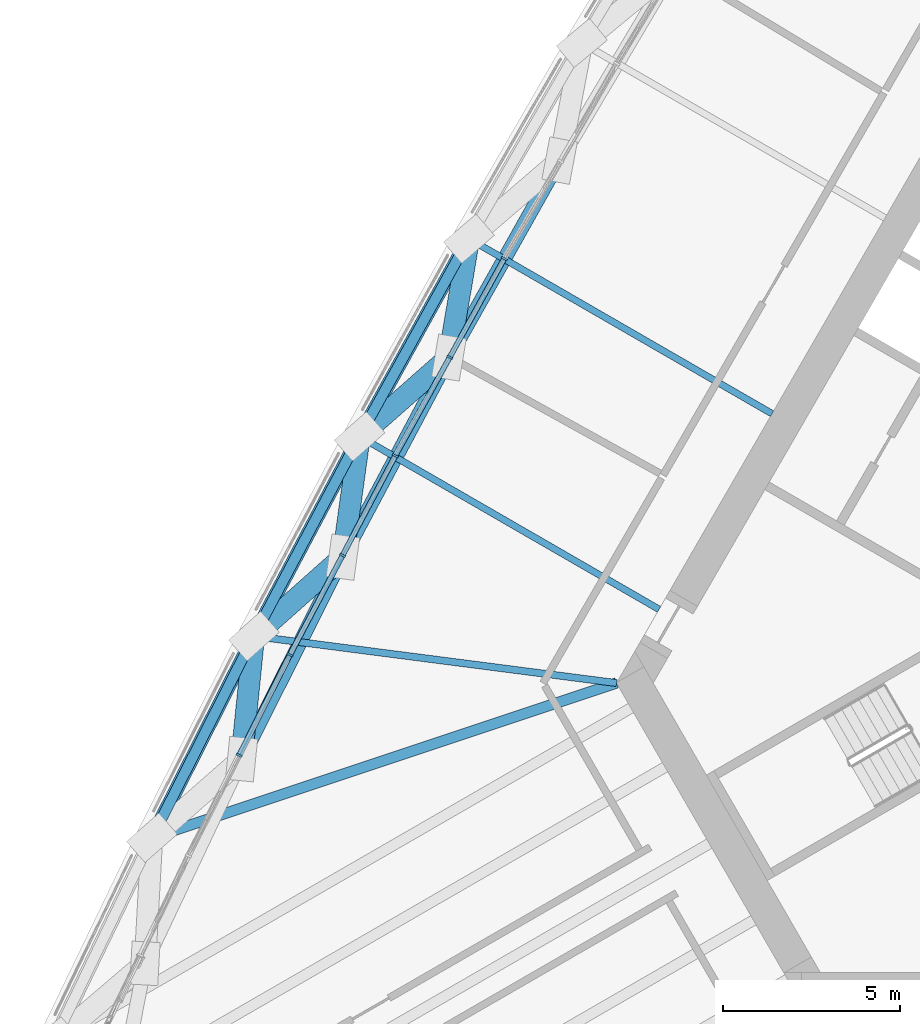
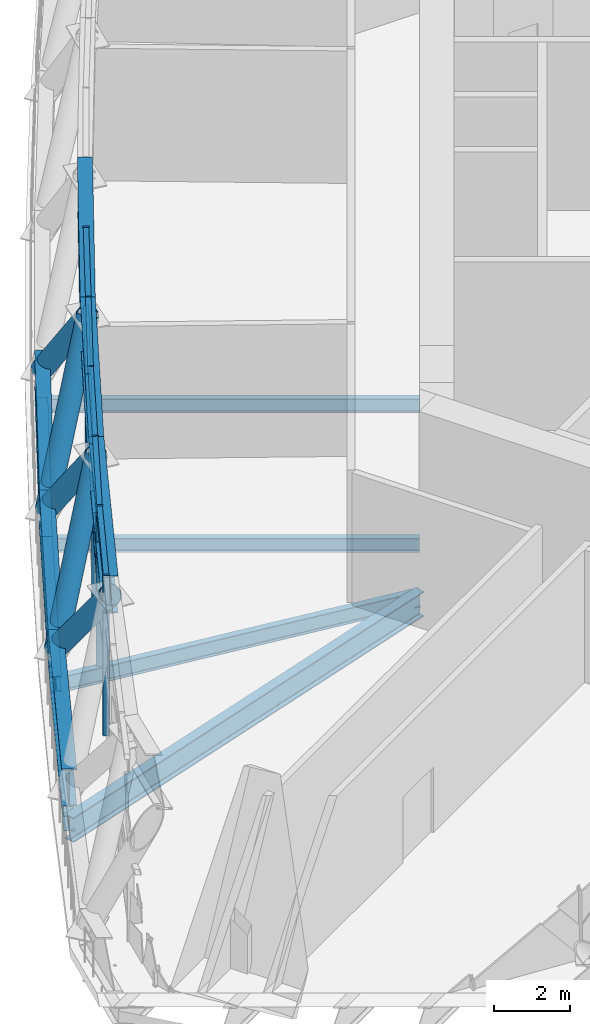
# One storey, part 4 of 43: 27 members, 7 beams, 1 element without a shape of its own.
"""IFC4 building model written with IfcOpenShell, lengths in metres."""

from ifc_helpers import new_model, si_unit, direction, frame, origin, origin_2d, place, context, subcontext, project, spatial, rectangle, hollow_circle, i_section, extrude, material, material_profile, profile_set, type_object, element, aggregate, save


model = new_model("IFC4")

# Units and contexts
model_context = context("Model", 3, precision=1e-05, world=origin(), true_north=direction((0.0, 1.0)))
body_context = subcontext(model_context, "Body", "Model", "MODEL_VIEW")
ifc_project = project(units=[si_unit("LENGTHUNIT", "METRE"), si_unit("AREAUNIT", "SQUARE_METRE"), si_unit("VOLUMEUNIT", "CUBIC_METRE"), si_unit("PLANEANGLEUNIT", "RADIAN"), si_unit("MASSUNIT", "GRAM", prefix="KILO")], contexts=[model_context])

# Site, building, storey
site_placement = place(None, origin())
site = spatial("IfcSite", under=ifc_project, at=site_placement, CompositionType="ELEMENT")
building_placement = place(site_placement, origin())
building = spatial("IfcBuilding", under=site, at=building_placement, Name="Mestral Congress Tower", CompositionType="ELEMENT")
storey_placement = place(building_placement, frame((0.0, 0.0, 78.300048828125)))
storey = spatial("IfcBuildingStorey", under=building, at=storey_placement, Name="L18", CompositionType="ELEMENT", Elevation=78.300048828125)

# Members
ifc_material_1 = material(Name="Steel S355", Category="steel")
ifc_material_profile_1 = material_profile(ifc_material_1, i_section(OverallWidth=0.39990234375, OverallDepth=1.199951171875, WebThickness=0.02001953125, FlangeThickness=0.0400390625, FilletRadius=0.010009765625, at=origin_2d()), Name="WPG 1200")
ifc_profile_set_1 = profile_set([ifc_material_profile_1], Name="Steel S355")
member_type_1 = type_object("IfcMemberType", Name="Belt chord WPG 1200 S355", PredefinedType="CHORD", material=ifc_profile_set_1)
for number, where, z_axis, x_axis, name in (
    (1, (-21.443359375, 8.685302734375, 0.599853515625), (-0.483909115865, -0.875118259199, 0.0), (0.875118259199, -0.483909115865, 0.0), "MB-L18-BC1-W05"),
    (2, (-24.540283203125, 3.084716796875, 0.599853515625), (-0.467649333519, -0.883914080021, 0.0), (0.883914080021, -0.467649333519, 0.0), "MB-L18-BC1-W06"),
):
    element("IfcMember", number, at=place(storey_placement, frame(where, z_axis=z_axis, x_axis=x_axis)), inside=storey, type_object=member_type_1, Name=name, PredefinedType="CHORD", context=body_context, shape_type="SweptSolid", body=[
        extrude(i_section(OverallWidth=0.39990234375, OverallDepth=1.199951171875, WebThickness=0.02001953125, FlangeThickness=0.0400390625, FilletRadius=0.010009765625, at=origin_2d()), origin(), (0.0, 0.0, 1.0), 6.39990234375),
    ])
member_1_placement = place(storey_placement, frame((-27.533203125, -2.572265625, 0.599853515625), z_axis=(-0.451237351709, -0.892403973783, 0.0), x_axis=(0.892403973783, -0.451237351709, 0.0)))
element("IfcMember", 3, at=member_1_placement, inside=storey, type_object=member_type_1, Name="MB-L18-BC1-W07", PredefinedType="CHORD", context=body_context, shape_type="SweptSolid", body=[
    extrude(i_section(OverallWidth=0.39990234375, OverallDepth=1.199951171875, WebThickness=0.02001953125, FlangeThickness=0.0400390625, FilletRadius=0.010009765625, at=origin_2d()), origin(), (0.0, 0.0, 1.0), 6.400146484375),
])
for number, where, z_axis, x_axis, name in (
    (4, (-18.873779296875, 10.896728515625, 4.550048828125), (-0.489860914929, -0.871800598775, 0.0), (0.871800598775, -0.489860914929, 0.0), "MB-L18-TC1-W04"),
    (5, (-22.0087890625, 5.3173828125, 4.550048828125), (-0.469292819228, -0.88304260929, 0.0), (0.88304260929, -0.469292819228, 0.0), "MB-L18-TC1-W05"),
):
    element("IfcMember", number, at=place(storey_placement, frame(where, z_axis=z_axis, x_axis=x_axis)), inside=storey, type_object=member_type_1, Name=name, PredefinedType="CHORD", context=body_context, shape_type="SweptSolid", body=[
        extrude(i_section(OverallWidth=0.39990234375, OverallDepth=1.199951171875, WebThickness=0.02001953125, FlangeThickness=0.0400390625, FilletRadius=0.010009765625, at=origin_2d()), origin(), (0.0, 0.0, 1.0), 6.39990234375),
    ])
member_2_placement = place(storey_placement, frame((-25.01220703125, -0.333984375, 4.550048828125), z_axis=(-0.448555936264, -0.893754760571, 0.0), x_axis=(0.893754760571, -0.448555936264, 0.0)))
element("IfcMember", 6, at=member_2_placement, inside=storey, type_object=member_type_1, Name="MB-L18-TC1-W06", PredefinedType="CHORD", context=body_context, shape_type="SweptSolid", body=[
    extrude(i_section(OverallWidth=0.39990234375, OverallDepth=1.199951171875, WebThickness=0.02001953125, FlangeThickness=0.0400390625, FilletRadius=0.010009765625, at=origin_2d()), origin(), (0.0, 0.0, 1.0), 6.399658203125),
])
ifc_material_profile_2 = material_profile(ifc_material_1, hollow_circle(Radius=0.304931640625, WallThickness=0.02490234375, at=origin_2d()), Name="CHS 610x25")
ifc_profile_set_2 = profile_set([ifc_material_profile_2], Name="Steel S355")
member_type_2 = type_object("IfcMemberType", Name="Belt diagonal CHS 610x25 S355", PredefinedType="BRACE", material=ifc_profile_set_2)
member_3_placement = place(storey_placement, frame((-21.443359375, 8.685302734375, 0.599853515625), z_axis=(-0.108283630495, -0.644979569376, 0.756489266582), x_axis=(0.986198081795, -0.165569754073, 0.0)))
element("IfcMember", 7, at=member_3_placement, inside=storey, type_object=member_type_2, Name="MD-L18-BD1-W05.W05", PredefinedType="BRACE", context=body_context, shape_type="SweptSolid", body=[
    extrude(hollow_circle(Radius=0.304931640625, WallThickness=0.02490234375, at=origin_2d()), origin(), (0.0, 0.0, 1.0), 5.2216796875),
])
member_4_placement = place(storey_placement, frame((-24.540283203125, 3.084716796875, 0.599853515625), z_axis=(0.487210607428, 0.429698235599, 0.760253411918), x_axis=(-0.661454164906, 0.74998559168, 0.0)))
element("IfcMember", 8, at=member_4_placement, inside=storey, type_object=member_type_2, Name="MD-L18-BD1-W06.W05", PredefinedType="BRACE", context=body_context, shape_type="SweptSolid", body=[
    extrude(hollow_circle(Radius=0.304931640625, WallThickness=0.02490234375, at=origin_2d()), origin(), (0.0, 0.0, 1.0), 5.19580078125),
])
member_5_placement = place(storey_placement, frame((-24.540283203125, 3.084716796875, 0.599853515625), z_axis=(-0.089968998586, -0.65175162297, 0.7530772877), x_axis=(0.990606264999, -0.136745119635, 0.0)))
element("IfcMember", 9, at=member_5_placement, inside=storey, type_object=member_type_2, Name="MD-L18-BD1-W06.W06", PredefinedType="BRACE", context=body_context, shape_type="SweptSolid", body=[
    extrude(hollow_circle(Radius=0.304931640625, WallThickness=0.02490234375, at=origin_2d()), origin(), (0.0, 0.0, 1.0), 5.245361328125),
])
member_6_placement = place(storey_placement, frame((-27.533203125, -2.572265625, 0.599853515625), z_axis=(0.485441380321, 0.431001992522, 0.760647059229), x_axis=(-0.663932214118, 0.747792762105, 0.0)))
element("IfcMember", 10, at=member_6_placement, inside=storey, type_object=member_type_2, Name="MD-L18-BD1-W07.W06", PredefinedType="BRACE", context=body_context, shape_type="SweptSolid", body=[
    extrude(hollow_circle(Radius=0.304931640625, WallThickness=0.02490234375, at=origin_2d()), origin(), (0.0, 0.0, 1.0), 5.193115234375),
])
member_7_placement = place(storey_placement, frame((-27.533203125, -2.572265625, 0.599853515625), z_axis=(-0.0662515371, -0.65973946861, 0.748568345169), x_axis=(0.994995653206, -0.099918217068, 0.0)))
element("IfcMember", 11, at=member_7_placement, inside=storey, type_object=member_type_2, Name="MD-L18-BD1-W07.W07", PredefinedType="BRACE", context=body_context, shape_type="SweptSolid", body=[
    extrude(hollow_circle(Radius=0.304931640625, WallThickness=0.02490234375, at=origin_2d()), origin(), (0.0, 0.0, 1.0), 5.277099609375),
])

# Curtain wall, members
ifc_material_2 = material(Name="Clear low-emissivity double glazing", Category="glass")
curtain_wall_type = type_object("IfcCurtainWallType", Name="Facade refuge band screen", PredefinedType="USERDEFINED", material=ifc_material_2)
curtain_wall_placement = place(storey_placement, origin())
curtain_wall = element("IfcCurtainWall", 12, at=curtain_wall_placement, inside=storey, type_object=curtain_wall_type, Name="Facade refuge band screen face 3", ObjectType="CURTAIN WALL", PredefinedType="USERDEFINED")
ifc_material_3 = material(Name="Anodised aluminium", Category="aluminium")
ifc_material_profile_3 = material_profile(ifc_material_3, rectangle(XDim=0.179931640625, YDim=0.06005859375, at=origin_2d()), Name="CW3 mullion 180 x 60")
ifc_profile_set_3 = profile_set([ifc_material_profile_3], Name="Anodised aluminium")
member_type_3 = type_object("IfcMemberType", Name="Facade refuge band screen mullion", PredefinedType="MULLION", material=ifc_profile_set_3)
member_8_placement = place(storey_placement, frame((-20.442138671875, 8.11962890625, 0.0), z_axis=(0.0, 0.0, 1.0), x_axis=(-0.870609974391, 0.491973853463, 0.0)))
member_8 = element("IfcMember", 13, at=member_8_placement, type_object=member_type_3, Name="Facade refuge band screen mullion", PredefinedType="MULLION", context=body_context, shape_type="SweptSolid", body=[
    extrude(rectangle(XDim=0.179931640625, YDim=0.06005859375, at=origin_2d()), origin(), (0.0, 0.0, 1.0), 5.14990234375),
])
member_9_placement = place(storey_placement, frame((-21.985595703125, 5.32861328125, 0.0), z_axis=(0.0, 0.0, 1.0), x_axis=(-0.875120162417, 0.483905674001, 0.0)))
member_9 = element("IfcMember", 14, at=member_9_placement, type_object=member_type_3, Name="Facade refuge band screen mullion", PredefinedType="MULLION", context=body_context, shape_type="SweptSolid", body=[
    extrude(rectangle(XDim=0.179931640625, YDim=0.06005859375, at=origin_2d()), origin(), (0.0, 0.0, 1.0), 5.14990234375),
])
member_10_placement = place(storey_placement, frame((-23.52880859375, 2.53759765625, 0.0), z_axis=(0.0, 0.0, 1.0), x_axis=(-0.879555582526, 0.475796150937, 0.0)))
member_10 = element("IfcMember", 15, at=member_10_placement, type_object=member_type_3, Name="Facade refuge band screen mullion", PredefinedType="MULLION", context=body_context, shape_type="SweptSolid", body=[
    extrude(rectangle(XDim=0.179931640625, YDim=0.06005859375, at=origin_2d()), origin(), (0.0, 0.0, 1.0), 5.14990234375),
])
member_11_placement = place(storey_placement, frame((-25.020263671875, -0.281494140625, 0.0), z_axis=(0.0, 0.0, 1.0), x_axis=(-0.883915855767, 0.467645977127, 0.0)))
member_11 = element("IfcMember", 16, at=member_11_placement, type_object=member_type_3, Name="Facade refuge band screen mullion", PredefinedType="MULLION", context=body_context, shape_type="SweptSolid", body=[
    extrude(rectangle(XDim=0.179931640625, YDim=0.06005859375, at=origin_2d()), origin(), (0.0, 0.0, 1.0), 5.14990234375),
])
member_12_placement = place(storey_placement, frame((-26.51171875, -3.1005859375, 0.0), z_axis=(0.0, 0.0, 1.0), x_axis=(-0.88820060961, 0.4594558489, 0.0)))
member_12 = element("IfcMember", 17, at=member_12_placement, type_object=member_type_3, Name="Facade refuge band screen mullion", PredefinedType="MULLION", context=body_context, shape_type="SweptSolid", body=[
    extrude(rectangle(XDim=0.179931640625, YDim=0.06005859375, at=origin_2d()), origin(), (0.0, 0.0, 1.0), 5.14990234375),
])
member_13_placement = place(storey_placement, frame((-27.950927734375, -5.947021484375, 0.0), z_axis=(0.0, 0.0, 1.0), x_axis=(-0.892409477977, 0.451226465998, 0.0)))
member_13 = element("IfcMember", 18, at=member_13_placement, type_object=member_type_3, Name="Facade refuge band screen mullion", PredefinedType="MULLION", context=body_context, shape_type="SweptSolid", body=[
    extrude(rectangle(XDim=0.179931640625, YDim=0.06005859375, at=origin_2d()), origin(), (0.0, 0.0, 1.0), 5.14990234375),
])
ifc_material_profile_4 = material_profile(ifc_material_3, rectangle(XDim=0.14990234375, YDim=0.1201171875, at=origin_2d()), Name="CW3 transom 150 x 120")
ifc_profile_set_4 = profile_set([ifc_material_profile_4], Name="Anodised aluminium")
member_type_4 = type_object("IfcMemberType", Name="Facade refuge band screen transom", PredefinedType="USERDEFINED", material=ifc_profile_set_4)
member_14_placement = place(storey_placement, frame((-20.456787109375, 8.09326171875, 2.599853515625), z_axis=(-0.48387326323, -0.875138083465, 0.0), x_axis=(0.875138083465, -0.48387326323, 0.0)))
member_14 = element("IfcMember", 19, at=member_14_placement, type_object=member_type_4, Name="Facade refuge band screen transom", ObjectType="TRANSOM", PredefinedType="USERDEFINED", context=body_context, shape_type="SweptSolid", body=[
    extrude(rectangle(XDim=0.14990234375, YDim=0.1201171875, at=origin_2d()), origin(), (0.0, 0.0, 1.0), 3.129150390625),
])
member_15_placement = place(storey_placement, frame((-20.456787109375, 8.09326171875, 5.08984375), z_axis=(-0.48387326323, -0.875138083465, 0.0), x_axis=(0.875138083465, -0.48387326323, 0.0)))
member_15 = element("IfcMember", 20, at=member_15_placement, type_object=member_type_4, Name="Facade refuge band screen transom", ObjectType="TRANSOM", PredefinedType="USERDEFINED", context=body_context, shape_type="SweptSolid", body=[
    extrude(rectangle(XDim=0.14990234375, YDim=0.1201171875, at=origin_2d()), origin(), (0.0, 0.0, 1.0), 3.129150390625),
])
member_16_placement = place(storey_placement, frame((-22.0, 5.30224609375, 2.599853515625), z_axis=(-0.483933011927, -0.875105045105, 0.0), x_axis=(0.875105045105, -0.483933011927, 0.0)))
member_16 = element("IfcMember", 21, at=member_16_placement, type_object=member_type_4, Name="Facade refuge band screen transom", ObjectType="TRANSOM", PredefinedType="USERDEFINED", context=body_context, shape_type="SweptSolid", body=[
    extrude(rectangle(XDim=0.14990234375, YDim=0.1201171875, at=origin_2d()), origin(), (0.0, 0.0, 1.0), 3.12939453125),
])
member_17_placement = place(storey_placement, frame((-22.0, 5.30224609375, 5.08984375), z_axis=(-0.483933011927, -0.875105045105, 0.0), x_axis=(0.875105045105, -0.483933011927, 0.0)))
member_17 = element("IfcMember", 22, at=member_17_placement, type_object=member_type_4, Name="Facade refuge band screen transom", ObjectType="TRANSOM", PredefinedType="USERDEFINED", context=body_context, shape_type="SweptSolid", body=[
    extrude(rectangle(XDim=0.14990234375, YDim=0.1201171875, at=origin_2d()), origin(), (0.0, 0.0, 1.0), 3.12939453125),
])
member_18_placement = place(storey_placement, frame((-23.54296875, 2.510986328125, 2.599853515625), z_axis=(-0.467629614163, -0.88392451259, 0.0), x_axis=(0.88392451259, -0.467629614163, 0.0)))
member_18 = element("IfcMember", 23, at=member_18_placement, type_object=member_type_4, Name="Facade refuge band screen transom", ObjectType="TRANSOM", PredefinedType="USERDEFINED", context=body_context, shape_type="SweptSolid", body=[
    extrude(rectangle(XDim=0.14990234375, YDim=0.1201171875, at=origin_2d()), origin(), (0.0, 0.0, 1.0), 3.12939453125),
])
member_19_placement = place(storey_placement, frame((-23.54296875, 2.510986328125, 5.08984375), z_axis=(-0.467629614163, -0.88392451259, 0.0), x_axis=(0.88392451259, -0.467629614163, 0.0)))
member_19 = element("IfcMember", 24, at=member_19_placement, type_object=member_type_4, Name="Facade refuge band screen transom", ObjectType="TRANSOM", PredefinedType="USERDEFINED", context=body_context, shape_type="SweptSolid", body=[
    extrude(rectangle(XDim=0.14990234375, YDim=0.1201171875, at=origin_2d()), origin(), (0.0, 0.0, 1.0), 3.12939453125),
])
member_20_placement = place(storey_placement, frame((-25.0341796875, -0.30810546875, 2.599853515625), z_axis=(-0.46769056671, -0.88389226369, 0.0), x_axis=(0.88389226369, -0.46769056671, 0.0)))
member_20 = element("IfcMember", 25, at=member_20_placement, type_object=member_type_4, Name="Facade refuge band screen transom", ObjectType="TRANSOM", PredefinedType="USERDEFINED", context=body_context, shape_type="SweptSolid", body=[
    extrude(rectangle(XDim=0.14990234375, YDim=0.1201171875, at=origin_2d()), origin(), (0.0, 0.0, 1.0), 3.12939453125),
])
member_21_placement = place(storey_placement, frame((-25.0341796875, -0.30810546875, 5.08984375), z_axis=(-0.46769056671, -0.88389226369, 0.0), x_axis=(0.88389226369, -0.46769056671, 0.0)))
member_21 = element("IfcMember", 26, at=member_21_placement, type_object=member_type_4, Name="Facade refuge band screen transom", ObjectType="TRANSOM", PredefinedType="USERDEFINED", context=body_context, shape_type="SweptSolid", body=[
    extrude(rectangle(XDim=0.14990234375, YDim=0.1201171875, at=origin_2d()), origin(), (0.0, 0.0, 1.0), 3.12939453125),
])
member_22_placement = place(storey_placement, frame((-26.525390625, -3.12744140625, 2.599853515625), z_axis=(-0.451234602971, -0.892405363656, 0.0), x_axis=(0.892405363656, -0.451234602971, 0.0)))
member_22 = element("IfcMember", 27, at=member_22_placement, type_object=member_type_4, Name="Facade refuge band screen transom", ObjectType="TRANSOM", PredefinedType="USERDEFINED", context=body_context, shape_type="SweptSolid", body=[
    extrude(rectangle(XDim=0.14990234375, YDim=0.1201171875, at=origin_2d()), origin(), (0.0, 0.0, 1.0), 3.12939453125),
])
member_23_placement = place(storey_placement, frame((-26.525390625, -3.12744140625, 5.08984375), z_axis=(-0.451234602971, -0.892405363656, 0.0), x_axis=(0.892405363656, -0.451234602971, 0.0)))
member_23 = element("IfcMember", 28, at=member_23_placement, type_object=member_type_4, Name="Facade refuge band screen transom", ObjectType="TRANSOM", PredefinedType="USERDEFINED", context=body_context, shape_type="SweptSolid", body=[
    extrude(rectangle(XDim=0.14990234375, YDim=0.1201171875, at=origin_2d()), origin(), (0.0, 0.0, 1.0), 3.12939453125),
])
aggregate(curtain_wall, [member_8, member_9, member_10, member_11, member_12, member_13, member_14, member_15, member_16, member_17, member_18, member_19, member_20, member_21, member_22, member_23])

# Beams
ifc_material_profile_5 = material_profile(ifc_material_1, i_section(OverallWidth=0.300048828125, OverallDepth=0.800048828125, WebThickness=0.017578125, FlangeThickness=0.032958984375, FilletRadius=0.030029296875, at=origin_2d()), Name="HEB 800")
ifc_profile_set_5 = profile_set([ifc_material_profile_5], Name="Steel S355")
beam_type_1 = type_object("IfcBeamType", Name="Floor beam HEB 800 S355", PredefinedType="BEAM", material=ifc_profile_set_5)
beam_1_placement = place(storey_placement, frame((-30.421142578125, -8.28369140625, -0.699951171875), z_axis=(0.948734333606, 0.316074618146, 0.0), x_axis=(-0.316074618146, 0.948734333606, 0.0)))
element("IfcBeam", 29, at=beam_1_placement, inside=storey, type_object=beam_type_1, Name="BM-L18-RB1-W08", PredefinedType="BEAM", context=body_context, shape_type="SweptSolid", body=[
    extrude(i_section(OverallWidth=0.300048828125, OverallDepth=0.800048828125, WebThickness=0.017578125, FlangeThickness=0.032958984375, FilletRadius=0.030029296875, at=origin_2d()), origin(), (0.0, 0.0, 1.0), 13.869384765625),
])
ifc_material_profile_6 = material_profile(ifc_material_1, i_section(OverallWidth=0.18994140625, OverallDepth=0.449951171875, WebThickness=0.009521484375, FlangeThickness=0.0146484375, FilletRadius=0.02099609375, at=origin_2d()), Name="IPE 450")
ifc_profile_set_6 = profile_set([ifc_material_profile_6], Name="Steel S355")
beam_type_2 = type_object("IfcBeamType", Name="Floor beam IPE 450 S355", PredefinedType="BEAM", material=ifc_profile_set_6)
beam_2_placement = place(storey_placement, frame((-21.443359375, 8.685302734375, -0.525146484375), z_axis=(0.866024815816, -0.500001018391, 0.0), x_axis=(0.500001018391, 0.866024815816, 0.0)))
element("IfcBeam", 30, at=beam_2_placement, inside=storey, type_object=beam_type_2, Name="BM-L18-RB1-W05", PredefinedType="BEAM", context=body_context, shape_type="SweptSolid", body=[
    extrude(i_section(OverallWidth=0.18994140625, OverallDepth=0.449951171875, WebThickness=0.009521484375, FlangeThickness=0.0146484375, FilletRadius=0.02099609375, at=origin_2d()), origin(), (0.0, 0.0, 1.0), 9.9130859375),
])
beam_3_placement = place(storey_placement, frame((-24.540283203125, 3.084716796875, -0.525146484375), z_axis=(0.866025782648, -0.499999343788, 0.0), x_axis=(0.499999343788, 0.866025782648, 0.0)))
element("IfcBeam", 31, at=beam_3_placement, inside=storey, type_object=beam_type_2, Name="BM-L18-RB1-W06", PredefinedType="BEAM", context=body_context, shape_type="SweptSolid", body=[
    extrude(i_section(OverallWidth=0.18994140625, OverallDepth=0.449951171875, WebThickness=0.009521484375, FlangeThickness=0.0146484375, FilletRadius=0.02099609375, at=origin_2d()), origin(), (0.0, 0.0, 1.0), 9.794921875),
])
ifc_material_profile_7 = material_profile(ifc_material_1, i_section(OverallWidth=0.199951171875, OverallDepth=0.5, WebThickness=0.01025390625, FlangeThickness=0.01611328125, FilletRadius=0.02099609375, at=origin_2d()), Name="IPE 500")
ifc_profile_set_7 = profile_set([ifc_material_profile_7], Name="Steel S355")
beam_type_3 = type_object("IfcBeamType", Name="Floor beam IPE 500 S355", PredefinedType="BEAM", material=ifc_profile_set_7)
beam_4_placement = place(storey_placement, frame((-27.533203125, -2.572265625, -0.550048828125), z_axis=(0.991748305255, -0.128200230198, 0.0), x_axis=(0.128200230198, 0.991748305255, 0.0)))
element("IfcBeam", 32, at=beam_4_placement, inside=storey, type_object=beam_type_3, Name="BM-L18-RB1-W07", PredefinedType="BEAM", context=body_context, shape_type="SweptSolid", body=[
    extrude(i_section(OverallWidth=0.199951171875, OverallDepth=0.5, WebThickness=0.01025390625, FlangeThickness=0.01611328125, FilletRadius=0.02099609375, at=origin_2d()), origin(), (0.0, 0.0, 1.0), 10.35595703125),
])
ifc_material_profile_8 = material_profile(ifc_material_1, i_section(OverallWidth=0.300048828125, OverallDepth=0.489990234375, WebThickness=0.011962890625, FlangeThickness=0.02294921875, FilletRadius=0.027099609375, at=origin_2d()), Name="HEA 500")
ifc_profile_set_8 = profile_set([ifc_material_profile_8], Name="Steel S355")
beam_type_4 = type_object("IfcBeamType", Name="Spandrel beam HEA 500 S355", PredefinedType="BEAM", material=ifc_profile_set_8)
for number, where, z_axis, x_axis, name in (
    (33, (-21.443359375, 8.685302734375, -0.545166015625), (-0.483909115865, -0.875118259199, 0.0), (0.875118259199, -0.483909115865, 0.0), "SP-L18-SB1-W05"),
    (34, (-24.540283203125, 3.084716796875, -0.545166015625), (-0.467649333519, -0.883914080021, 0.0), (0.883914080021, -0.467649333519, 0.0), "SP-L18-SB1-W06"),
):
    element("IfcBeam", number, at=place(storey_placement, frame(where, z_axis=z_axis, x_axis=x_axis)), inside=storey, type_object=beam_type_4, Name=name, PredefinedType="BEAM", context=body_context, shape_type="SweptSolid", body=[
        extrude(i_section(OverallWidth=0.300048828125, OverallDepth=0.489990234375, WebThickness=0.011962890625, FlangeThickness=0.02294921875, FilletRadius=0.027099609375, at=origin_2d()), origin(), (0.0, 0.0, 1.0), 6.39990234375),
    ])
beam_5_placement = place(storey_placement, frame((-27.533203125, -2.572265625, -0.545166015625), z_axis=(-0.451237351709, -0.892403973783, 0.0), x_axis=(0.892403973783, -0.451237351709, 0.0)))
element("IfcBeam", 35, at=beam_5_placement, inside=storey, type_object=beam_type_4, Name="SP-L18-SB1-W07", PredefinedType="BEAM", context=body_context, shape_type="SweptSolid", body=[
    extrude(i_section(OverallWidth=0.300048828125, OverallDepth=0.489990234375, WebThickness=0.011962890625, FlangeThickness=0.02294921875, FilletRadius=0.027099609375, at=origin_2d()), origin(), (0.0, 0.0, 1.0), 6.400146484375),
])

save(model, "model.ifc")
